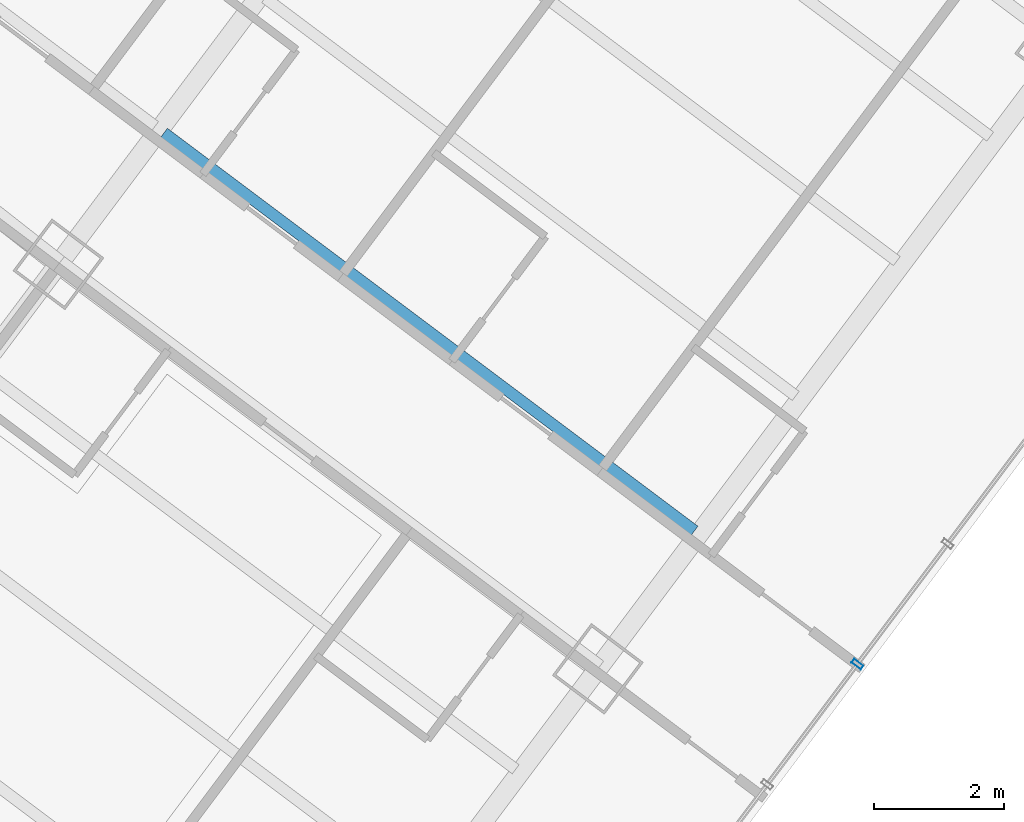
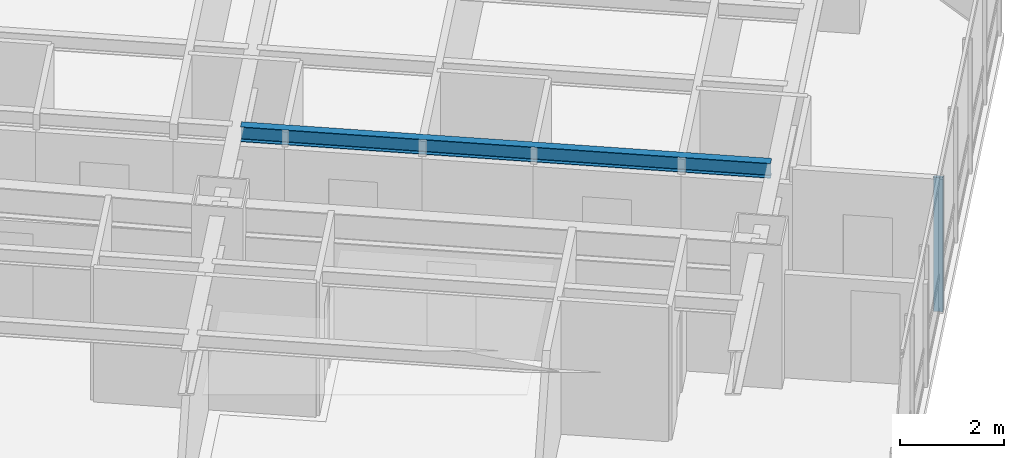
# One storey, part 10 of 32: 1 beam, 1 member, 1 element without a shape of its own.
"""IFC4 building model written with IfcOpenShell, lengths in metres."""

import ifcopenshell
import ifcopenshell.guid

model = None  # the IFC model being written
_history = None  # IfcOwnerHistory: only IFC2X3 demands one
_inside = {}  # id of a spatial element -> (the spatial element, [elements in it])
_under = {}  # id of a project, library or spatial element -> (it, [spatial elements below it])
_declared = {}  # id of a project -> (the project, [libraries it declares])
_typed = {}  # id of a type object -> (the type object, [elements of that type])
_made_of = {}  # id of a material, layer set ... -> (it, [elements and type objects made of it])


def new_model(schema):
    """Start an empty IFC model of exactly this schema.

    Asked for "IFC4X3", IfcOpenShell would pick the latest addendum, in which some entities
    have other attributes; the version numbers below select the first issue.
    IFC2X3 requires an IfcOwnerHistory on every rooted entity: one is made here for all.
    """
    global model, _history
    if schema == "IFC4X3":
        model = ifcopenshell.file(schema_version=(4, 3, 0, 0))
    else:
        model = ifcopenshell.file(schema=schema)
    _inside.clear()
    _under.clear()
    _declared.clear()
    _typed.clear()
    _made_of.clear()
    _history = None
    if model.schema == "IFC2X3":
        org = make("IfcOrganization", Name="unknown")
        user = make(
            "IfcPersonAndOrganization",
            ThePerson=make("IfcPerson", FamilyName="unknown"),
            TheOrganization=org,
        )
        app = make(
            "IfcApplication",
            ApplicationDeveloper=org,
            Version="unknown",
            ApplicationFullName="unknown",
            ApplicationIdentifier="unknown",
        )
        _history = make(
            "IfcOwnerHistory",
            OwningUser=user,
            OwningApplication=app,
            ChangeAction="ADDED",
            CreationDate=0,
        )
    return model


def make(cls, **values):
    """One entity of the class cls with the attributes given. An attribute that is None is left unset."""
    return model.create_entity(
        cls, **{name: value for name, value in values.items() if value is not None}
    )


def rooted(cls, **values):
    """An entity with a GlobalId (a new one), such as an element, a storey or a relation."""
    return make(cls, GlobalId=ifcopenshell.guid.new(), OwnerHistory=_history, **values)


def si_unit(unit_type, name, prefix=None):
    """IfcSIUnit, for example si_unit("LENGTHUNIT", "METRE", prefix="MILLI")."""
    return make("IfcSIUnit", UnitType=unit_type, Prefix=prefix, Name=name)


def assignment(units):
    """IfcUnitAssignment: the units of a project."""
    return None if units is None else make("IfcUnitAssignment", Units=units)


def point(xyz):
    """IfcCartesianPoint."""
    return None if xyz is None else make("IfcCartesianPoint", Coordinates=xyz)


def direction(xyz):
    """IfcDirection."""
    return None if xyz is None else make("IfcDirection", DirectionRatios=xyz)


def frame(location, z_axis=None, x_axis=None):
    """IfcAxis2Placement3D, a coordinate frame: its origin and axes. An axis left out is left unset."""
    return make(
        "IfcAxis2Placement3D",
        Location=point(location),
        Axis=direction(z_axis),
        RefDirection=direction(x_axis),
    )


def frame_2d(location, x_axis=None):
    """IfcAxis2Placement2D, a coordinate frame in the plane: its origin and x axis."""
    return make(
        "IfcAxis2Placement2D", Location=point(location), RefDirection=direction(x_axis)
    )


def origin():
    """The frame at (0, 0, 0) with its axes left unset."""
    return frame((0.0, 0.0, 0.0))


def origin_2d():
    """The frame at (0, 0) in the plane with its x axis left unset."""
    return frame_2d((0.0, 0.0))


def place(relative_to, where):
    """IfcLocalPlacement: puts the frame where relative to a parent placement (None: the world)."""
    return make(
        "IfcLocalPlacement", PlacementRelTo=relative_to, RelativePlacement=where
    )


def context(
    kind, dimensions, precision=None, world=None, true_north=None, identifier=None
):
    """IfcGeometricRepresentationContext, for example the 3D "Model" context."""
    return make(
        "IfcGeometricRepresentationContext",
        ContextIdentifier=identifier,
        ContextType=kind,
        CoordinateSpaceDimension=dimensions,
        Precision=precision,
        WorldCoordinateSystem=world,
        TrueNorth=true_north,
    )


def subcontext(parent, identifier, kind, view, scale=None):
    """IfcGeometricRepresentationSubContext, for example "Body" below "Model"."""
    return make(
        "IfcGeometricRepresentationSubContext",
        ContextIdentifier=identifier,
        ContextType=kind,
        ParentContext=parent,
        TargetScale=scale,
        TargetView=view,
    )


def project(units=None, contexts=None):
    """IfcProject with its units and contexts."""
    return rooted(
        "IfcProject",
        Name="project",
        RepresentationContexts=contexts,
        UnitsInContext=assignment(units),
    )


def spatial(cls, under=None, at=None, **own):
    """A site, building, storey or space (cls), placed at a placement, below another one or the project."""
    s = rooted(cls, ObjectPlacement=at, **own)
    if under is not None:
        _under.setdefault(under.id(), (under, []))[1].append(s)
    return s


def profile(cls, at=None, kind="AREA", **sizes):
    """A parametric profile (cls). Its sizes go by their IFC names, for example OverallWidth=200.0."""
    return make(cls, ProfileType=kind, Position=at, **sizes)


def hollow_rectangle(**sizes):
    """IfcRectangleHollowProfileDef."""
    return profile("IfcRectangleHollowProfileDef", **sizes)


def i_section(**sizes):
    """IfcIShapeProfileDef."""
    return profile("IfcIShapeProfileDef", **sizes)


def extrude(swept, where, along, depth):
    """IfcExtrudedAreaSolid: the profile swept, set in the frame where, extruded along a direction by depth."""
    return make(
        "IfcExtrudedAreaSolid",
        SweptArea=swept,
        Position=where,
        ExtrudedDirection=direction(along),
        Depth=depth,
    )


def shape(context_of_items, identifier, shape_type, items):
    """IfcShapeRepresentation: the items that make up one representation, for example the "Body"."""
    return make(
        "IfcShapeRepresentation",
        ContextOfItems=context_of_items,
        RepresentationIdentifier=identifier,
        RepresentationType=shape_type,
        Items=items,
    )


def material(Name=None, Category=None):
    """IfcMaterial."""
    return make("IfcMaterial", Name=Name, Category=Category)


def layer(
    of_material, thickness, ventilated=None, Name=None, Category=None, Priority=None
):
    """IfcMaterialLayer: one layer of a wall or slab, of a material (None: an air gap)."""
    return make(
        "IfcMaterialLayer",
        Material=of_material,
        LayerThickness=thickness,
        IsVentilated=ventilated,
        Name=Name,
        Category=Category,
        Priority=Priority,
    )


def layer_set(layers, Name=None):
    """IfcMaterialLayerSet."""
    return make("IfcMaterialLayerSet", MaterialLayers=layers, LayerSetName=Name)


def material_profile(
    of_material, cross_section, Name=None, Category=None, Priority=None
):
    """IfcMaterialProfile: a cross section and its material."""
    return make(
        "IfcMaterialProfile",
        Name=Name,
        Material=of_material,
        Profile=cross_section,
        Priority=Priority,
        Category=Category,
    )


def profile_set(profiles, Name=None, composite=None):
    """IfcMaterialProfileSet."""
    return make(
        "IfcMaterialProfileSet",
        Name=Name,
        MaterialProfiles=profiles,
        CompositeProfile=composite,
    )


def made_of(thing, what):
    """Note that an element or type object is made of a material, layer set ...; save() writes the relation."""
    if what is not None:
        _made_of.setdefault(what.id(), (what, []))[1].append(thing)
    return thing


def type_object(cls, material=None, **own):
    """A type object (cls), such as IfcWallType, which elements share."""
    return made_of(rooted(cls, **own), material)


def element(
    cls,
    number,
    at=None,
    inside=None,
    cuts=None,
    type_object=None,
    material=None,
    context=None,
    identifier="Body",
    shape_type=None,
    held_by="IfcProductDefinitionShape",
    body=None,
    shapes=None,
    **own,
):
    """One element of the class cls, such as IfcWall. Its Tag is "e" and its number.

    at: its placement. inside: the storey or other place that contains it. cuts: it is an
    opening in that element (IfcRelVoidsElement). A single representation is given by context,
    identifier, shape_type and body (its items); several are given by shapes. held_by: the class
    of the entity that holds the representations. save() writes the other relations.
    """
    e = rooted(cls, Tag="e%d" % number, ObjectPlacement=at, **own)
    if body is not None:
        shapes = [shape(context, identifier, shape_type, body)]
    if shapes is not None:
        e.Representation = make(held_by, Representations=shapes)
    if inside is not None:
        _inside.setdefault(inside.id(), (inside, []))[1].append(e)
    if cuts is not None:
        rooted(
            "IfcRelVoidsElement", RelatingBuildingElement=cuts, RelatedOpeningElement=e
        )
    if type_object is not None:
        _typed.setdefault(type_object.id(), (type_object, []))[1].append(e)
    return made_of(e, material)


def aggregate(whole, parts):
    """IfcRelAggregates: a whole, such as a stair, and the parts it consists of."""
    return rooted("IfcRelAggregates", RelatingObject=whole, RelatedObjects=parts)


def save(model, path):
    """Write the relations noted so far, then the file.

    IfcRelAggregates (storeys below a building ...), IfcRelContainedInSpatialStructure (elements
    in a storey), IfcRelDefinesByType, IfcRelAssociatesMaterial and IfcRelDeclares: one each for
    every whole, place, type object, material and project.
    """
    for whole, parts in _under.values():
        aggregate(whole, parts)
    for where, things in _inside.values():
        rooted(
            "IfcRelContainedInSpatialStructure",
            RelatedElements=things,
            RelatingStructure=where,
        )
    for kind, things in _typed.values():
        rooted("IfcRelDefinesByType", RelatedObjects=things, RelatingType=kind)
    for what, things in _made_of.values():
        rooted("IfcRelAssociatesMaterial", RelatedObjects=things, RelatingMaterial=what)
    for by, libraries in _declared.values():
        rooted("IfcRelDeclares", RelatingContext=by, RelatedDefinitions=libraries)
    model.write(path)


model = new_model("IFC4")

# Units and contexts
model_context = context("Model", 3, precision=1e-05, world=origin(), true_north=direction((0.0, 1.0)))
body_context = subcontext(model_context, "Body", "Model", "MODEL_VIEW")
ifc_project = project(units=[si_unit("LENGTHUNIT", "METRE"), si_unit("AREAUNIT", "SQUARE_METRE"), si_unit("VOLUMEUNIT", "CUBIC_METRE"), si_unit("PLANEANGLEUNIT", "RADIAN"), si_unit("MASSUNIT", "GRAM", prefix="KILO")], contexts=[model_context])

# Site, building, storey
site_placement = place(None, origin())
site = spatial("IfcSite", under=ifc_project, at=site_placement, CompositionType="ELEMENT")
building_placement = place(site_placement, origin())
building = spatial("IfcBuilding", under=site, at=building_placement, Name="Hatsunagi Terrace Concourse", CompositionType="ELEMENT")
storey_placement = place(building_placement, frame((0.0, 0.0, 36.60009765625)))
storey = spatial("IfcBuildingStorey", under=building, at=storey_placement, Name="L08", CompositionType="ELEMENT", Elevation=36.60009765625)

# Curtain wall, member
ifc_material_1 = material(Name="Anodised Aluminium Alloy 6063-T5", Category="aluminium")
ifc_layer = layer(ifc_material_1, 0.199951171875)
ifc_layer_set = layer_set([ifc_layer], Name="HotelFacade_CW02")
curtain_wall_type = type_object("IfcCurtainWallType", Name="HotelFacade_CW02", PredefinedType="NOTDEFINED", material=ifc_layer_set)
curtain_wall_placement = place(storey_placement, origin())
curtain_wall = element("IfcCurtainWall", 1, at=curtain_wall_placement, inside=storey, type_object=curtain_wall_type, Name="Unitised Curtain Wall CW-02 CW-L08-03", PredefinedType="NOTDEFINED")
ifc_material_2 = material(Name="Anodised Aluminium Alloy 6063-T5", Category="aluminium")
ifc_material_profile_1 = material_profile(ifc_material_2, hollow_rectangle(XDim=0.070068359375, YDim=0.179931640625, WallThickness=0.00390625, at=origin_2d()), Name="ALU-MUL-180x70x4")
ifc_profile_set_1 = profile_set([ifc_material_profile_1], Name="Anodised Aluminium Alloy 6063-T5")
member_type = type_object("IfcMemberType", Name="CurtainWallMullion_180x70", PredefinedType="MULLION", material=ifc_profile_set_1)
member_placement = place(storey_placement, frame((63.52392578125, 12.23193359375, 0.0), z_axis=(0.0, 0.0, 1.0), x_axis=(-0.599969314634, -0.800023013105, 0.0)))
member = element("IfcMember", 2, at=member_placement, type_object=member_type, Name="Curtain Wall Mullion MUL-02", PredefinedType="MULLION", context=body_context, shape_type="SweptSolid", body=[
    extrude(hollow_rectangle(XDim=0.070068359375, YDim=0.179931640625, WallThickness=0.00390625, at=origin_2d()), origin(), (0.0, 0.0, 1.0), 3.1298828125),
])
aggregate(curtain_wall, [member])

# Beam
ifc_material_3 = material(Name="Steel SN490B", Category="steel")
ifc_material_profile_2 = material_profile(ifc_material_3, i_section(OverallWidth=0.175048828125, OverallDepth=0.35009765625, WebThickness=0.007080078125, FlangeThickness=0.010986328125, FilletRadius=0.012939453125, at=origin_2d()), Name="H-350x175x7x11")
ifc_profile_set_2 = profile_set([ifc_material_profile_2], Name="Steel SN490B")
beam_type = type_object("IfcBeamType", Name="HotelJoist_H_350x175", PredefinedType="JOIST", material=ifc_profile_set_2)
beam_placement = place(storey_placement, frame((52.827880859375, 20.428955078125, 2.954833984375), z_axis=(0.800005727586, -0.599992363142, 0.0), x_axis=(0.599992363142, 0.800005727586, 0.0)))
element("IfcBeam", 3, at=beam_placement, inside=storey, type_object=beam_type, Name="Beam J-02 J-L08-SE-3-142", PredefinedType="JOIST", context=body_context, shape_type="SweptSolid", body=[
    extrude(i_section(OverallWidth=0.175048828125, OverallDepth=0.35009765625, WebThickness=0.007080078125, FlangeThickness=0.010986328125, FilletRadius=0.012939453125, at=origin_2d()), origin(), (0.0, 0.0, 1.0), 10.22998046875),
])

save(model, "model.ifc")
